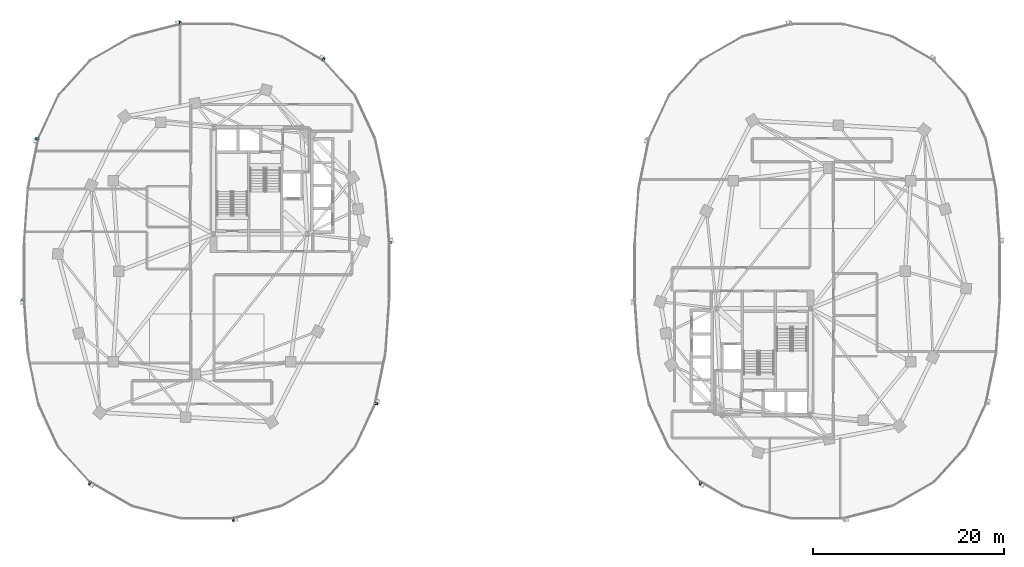
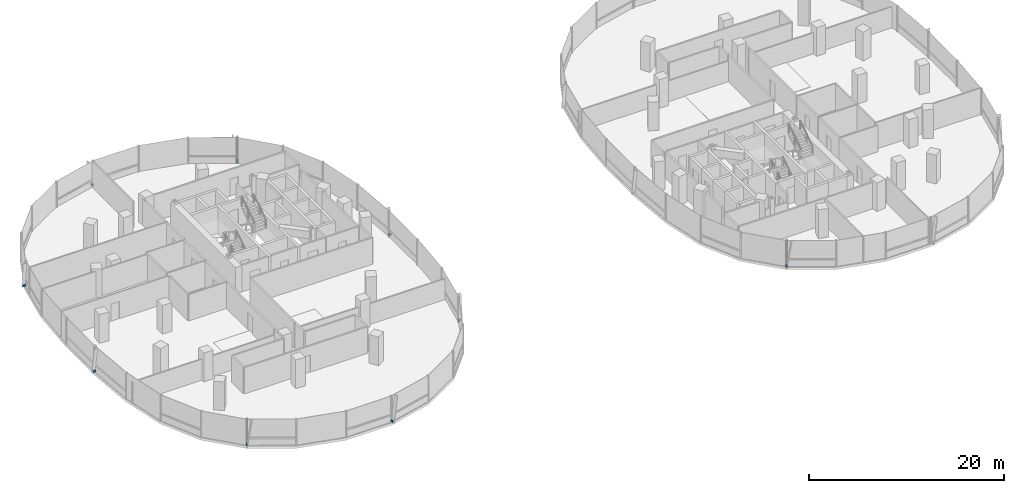
# One storey, part 15 of 21: 9 discrete accessories.
"""IFC4 building model written with IfcOpenShell, lengths in metres."""

from ifc_helpers import new_model, si_unit, direction, frame, origin, origin_2d, place, context, subcontext, project, spatial, rectangle, extrude, material, type_object, element, save


model = new_model("IFC4")

# Units and contexts
model_context = context("Model", 3, precision=1e-05, world=origin(), true_north=direction((0.0, 1.0)))
body_context = subcontext(model_context, "Body", "Model", "MODEL_VIEW")
ifc_project = project(units=[si_unit("LENGTHUNIT", "METRE"), si_unit("AREAUNIT", "SQUARE_METRE"), si_unit("VOLUMEUNIT", "CUBIC_METRE"), si_unit("PLANEANGLEUNIT", "RADIAN"), si_unit("MASSUNIT", "GRAM", prefix="KILO"), si_unit("THERMODYNAMICTEMPERATUREUNIT", "KELVIN"), si_unit("POWERUNIT", "WATT")], contexts=[model_context])

# Site, building, storey
site_placement = place(None, origin())
site = spatial("IfcSite", under=ifc_project, at=site_placement, CompositionType="ELEMENT")
building_placement = place(site_placement, origin())
building = spatial("IfcBuilding", under=site, at=building_placement, Name="Cundina Bronze Exchange", CompositionType="ELEMENT")
storey_placement = place(building_placement, frame((0.0, 0.0, 103.39990234375)))
storey = spatial("IfcBuildingStorey", under=building, at=storey_placement, Name="L26", CompositionType="ELEMENT", Elevation=103.39990234375)

# Discrete accessories
ifc_material = material(Name="Anodised Bronze Aluminium 6063-T6", Category="aluminium")
discrete_accessory_type = type_object("IfcDiscreteAccessoryType", Name="ACC-BRK-FIN", PredefinedType="BRACKET", material=ifc_material)
for number, where, z_axis, x_axis, name in (
    (1, (-12.735595703125, 2.986083984375, 0.10009765625), (0.0, 0.0, 1.0), (-0.070278787473, 0.997527389113, 0.0), "L26 Fin Support Bracket 1"),
    (2, (-19.740478515625, 22.21875, 0.10009765625), (0.0, 0.0, 1.0), (-0.867105478933, 0.498124571171, 0.0), "L26 Fin Support Bracket 5"),
    (3, (-34.76025390625, 26.03173828125, 0.10009765625), (0.0, 0.0, 1.0), (-0.969488149345, -0.245138182011, 0.0), "L26 Fin Support Bracket 1"),
    (4, (-49.788330078125, 13.8896484375, 0.10009765625), (0.0, 0.0, 1.0), (-0.201419845156, -0.979505000486, 0.0), "L26 Fin Support Bracket 5"),
    (5, (-51.264404296875, -2.986083984375, 0.10009765625), (0.0, 0.0, 1.0), (0.070278787473, -0.997527389113, 0.0), "L26 Fin Support Bracket 1"),
    (6, (-44.259521484375, -22.21875, 0.10009765625), (0.0, 0.0, 1.0), (0.867105478933, -0.498124571171, 0.0), "L26 Fin Support Bracket 5"),
    (7, (-29.23974609375, -26.03173828125, 0.10009765625), (0.0, 0.0, 1.0), (0.969488149345, 0.245138182011, 0.0), "L26 Fin Support Bracket 1"),
    (8, (-14.211669921875, -13.8896484375, 0.10009765625), (0.0, 0.0, 1.0), (0.201419845156, 0.979505000486, 0.0), "L26 Fin Support Bracket 5"),
    (9, (19.740478515625, -22.21875, 0.10009765625), (0.0, 0.0, 1.0), (0.867105478933, -0.498124571171, 0.0), "L26 Fin Support Bracket 5"),
):
    element("IfcDiscreteAccessory", number, at=place(storey_placement, frame(where, z_axis=z_axis, x_axis=x_axis)), inside=storey, type_object=discrete_accessory_type, Name=name, PredefinedType="BRACKET", context=body_context, shape_type="SweptSolid", body=[
        extrude(rectangle(XDim=0.219970703125, YDim=0.320068359375, at=origin_2d()), origin(), (0.0, 0.0, 1.0), 0.239990234375),
    ])

save(model, "model.ifc")
